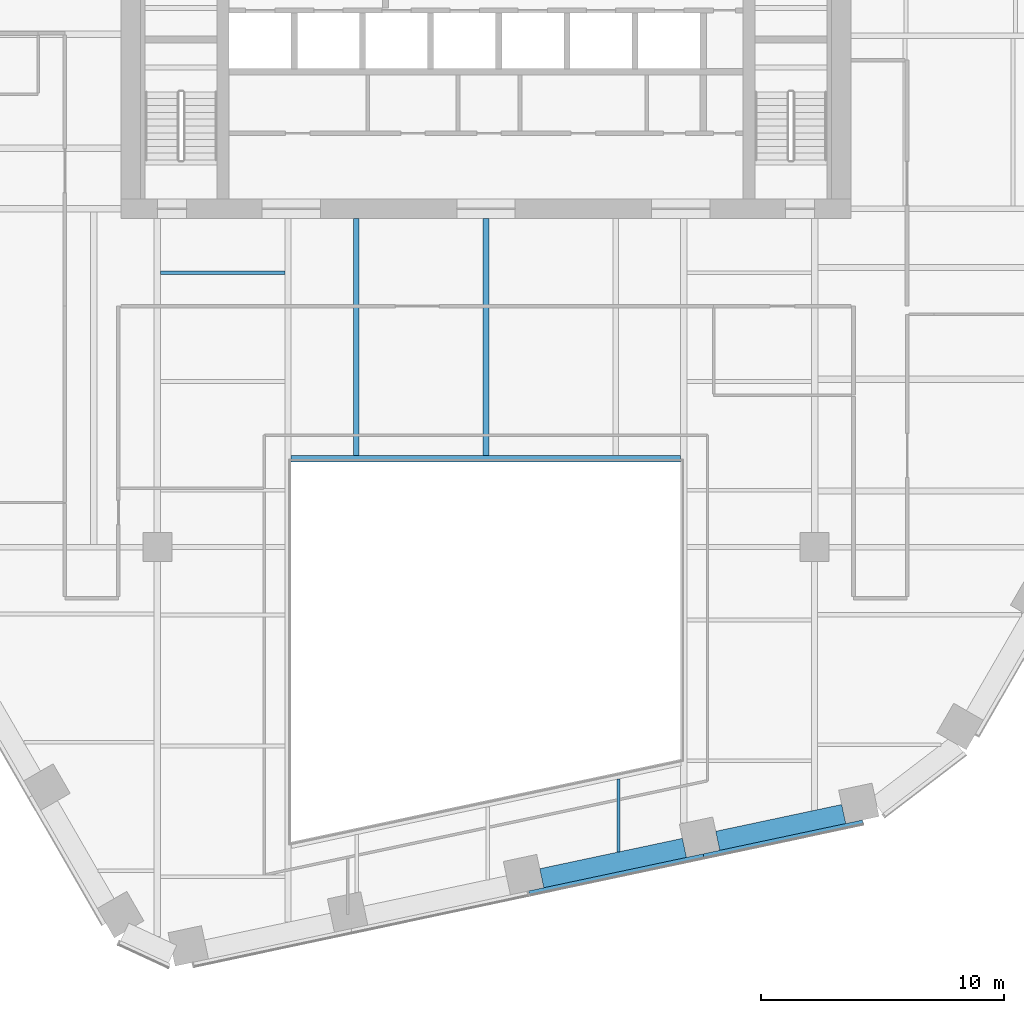
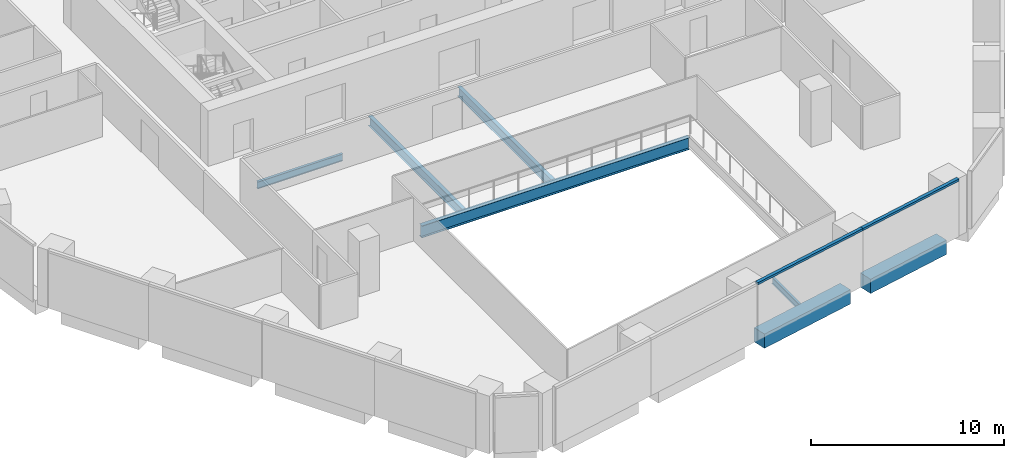
# One storey, part 4 of 16: 7 beams, 2 members, 1 element without a shape of its own.
"""IFC4 building model written with IfcOpenShell, lengths in metres."""

from ifc_helpers import new_model, si_unit, direction, frame, origin, origin_2d, place, context, subcontext, project, spatial, rectangle, i_section, extrude, material, layer, layer_set, material_profile, profile_set, type_object, element, aggregate, save


model = new_model("IFC4")

# Units and contexts
model_context = context("Model", 3, precision=1e-05, world=origin(), true_north=direction((0.0, 1.0)))
body_context = subcontext(model_context, "Body", "Model", "MODEL_VIEW")
ifc_project = project(units=[si_unit("LENGTHUNIT", "METRE"), si_unit("AREAUNIT", "SQUARE_METRE"), si_unit("VOLUMEUNIT", "CUBIC_METRE"), si_unit("PLANEANGLEUNIT", "RADIAN"), si_unit("MASSUNIT", "GRAM", prefix="KILO")], contexts=[model_context])

# Site, building, storey
site_placement = place(None, origin())
site = spatial("IfcSite", under=ifc_project, at=site_placement, CompositionType="ELEMENT")
building_placement = place(site_placement, origin())
building = spatial("IfcBuilding", under=site, at=building_placement, Name="Isthmus Gate Tower", CompositionType="ELEMENT")
storey_placement = place(building_placement, frame((0.0, 0.0, 148.050048828125)))
storey = spatial("IfcBuildingStorey", under=building, at=storey_placement, Name="L36", CompositionType="ELEMENT", Elevation=148.050048828125)

# Curtain wall, members
ifc_material_1 = material(Name="Aluminium, pale champagne anodised", Category="aluminium")
ifc_layer = layer(ifc_material_1, 0.199951171875)
ifc_layer_set = layer_set([ifc_layer], Name="CW-1 UNITISED CURTAIN WALL 200 DEEP")
curtain_wall_type = type_object("IfcCurtainWallType", Name="CW-1 UNITISED CURTAIN WALL 200 DEEP", PredefinedType="NOTDEFINED", material=ifc_layer_set)
curtain_wall_placement = place(storey_placement, origin())
curtain_wall = element("IfcCurtainWall", 1, at=curtain_wall_placement, inside=storey, type_object=curtain_wall_type, Name="CW-1 S L36", PredefinedType="NOTDEFINED")
ifc_material_2 = material(Name="Aluminium, pale champagne anodised", Category="aluminium")
ifc_material_profile_1 = material_profile(ifc_material_2, rectangle(XDim=0.199951171875, YDim=0.139892578125, at=origin_2d()), Name="200x140")
ifc_profile_set_1 = profile_set([ifc_material_profile_1], Name="Aluminium, pale champagne anodised")
member_type = type_object("IfcMemberType", Name="CW-1 TRANSOM 200 X 140", PredefinedType="USERDEFINED", material=ifc_profile_set_1)
member_1_placement = place(storey_placement, frame((1.76953125, -27.72607421875, 3.579833984375), z_axis=(0.978146152746, 0.207918502948, 0.0), x_axis=(-0.207918502948, 0.978146152746, 0.0)))
member_1 = element("IfcMember", 2, at=member_1_placement, type_object=member_type, Name="CW-1 transom", ObjectType="TRANSOM", PredefinedType="USERDEFINED", context=body_context, shape_type="SweptSolid", body=[
    extrude(rectangle(XDim=0.199951171875, YDim=0.139892578125, at=origin_2d()), origin(), (0.0, 0.0, 1.0), 7.33056640625),
])
member_2_placement = place(storey_placement, frame((8.93994140625, -26.201904296875, 3.579833984375), z_axis=(0.978147628551, 0.207911559946, 0.0), x_axis=(-0.207911559946, 0.978147628551, 0.0)))
member_2 = element("IfcMember", 3, at=member_2_placement, type_object=member_type, Name="CW-1 transom", ObjectType="TRANSOM", PredefinedType="USERDEFINED", context=body_context, shape_type="SweptSolid", body=[
    extrude(rectangle(XDim=0.199951171875, YDim=0.139892578125, at=origin_2d()), origin(), (0.0, 0.0, 1.0), 6.69091796875),
])
aggregate(curtain_wall, [member_1, member_2])

# Beams
ifc_material_3 = material(Name="Concrete f'c 60 MPa", Category="concrete")
ifc_material_profile_2 = material_profile(ifc_material_3, rectangle(XDim=0.800048828125, YDim=0.89990234375, at=origin_2d()), Name="RC 800X900")
ifc_profile_set_2 = profile_set([ifc_material_profile_2], Name="Concrete f'c 60 MPa")
beam_type_1 = type_object("IfcBeamType", Name="RC SPANDREL 800 X 900", PredefinedType="SPANDREL", material=ifc_profile_set_2)
beam_1_placement = place(storey_placement, frame((14.696044921875, -24.46728515625, -0.449951171875), z_axis=(-0.978145479826, -0.207921668653, 0.0), x_axis=(0.207921668653, -0.978145479826, 0.0)))
element("IfcBeam", 4, at=beam_1_placement, inside=storey, type_object=beam_type_1, Name="str-spandrel-L36-11", PredefinedType="SPANDREL", context=body_context, shape_type="SweptSolid", body=[
    extrude(rectangle(XDim=0.800048828125, YDim=0.89990234375, at=origin_2d()), origin(), (0.0, 0.0, 1.0), 5.291015625),
])
beam_2_placement = place(storey_placement, frame((8.1513671875, -25.8583984375, -0.449951171875), z_axis=(-0.978145798872, -0.20792016773, 0.0), x_axis=(0.20792016773, -0.978145798872, 0.0)))
element("IfcBeam", 5, at=beam_2_placement, inside=storey, type_object=beam_type_1, Name="str-spandrel-L36-12", PredefinedType="SPANDREL", context=body_context, shape_type="SweptSolid", body=[
    extrude(rectangle(XDim=0.800048828125, YDim=0.89990234375, at=origin_2d()), origin(), (0.0, 0.0, 1.0), 5.99072265625),
])
ifc_material_4 = material(Name="Structural steel ASTM A992 Gr 50", Category="steel")
ifc_material_profile_3 = material_profile(ifc_material_4, i_section(OverallWidth=0.1396484375, OverallDepth=0.4033203125, WebThickness=0.00634765625, FlangeThickness=0.010986328125, at=origin_2d()), Name="W16X31")
ifc_profile_set_3 = profile_set([ifc_material_profile_3], Name="Structural steel ASTM A992 Gr 50")
beam_type_2 = type_object("IfcBeamType", Name="STEEL FLOOR BEAM W16X31", PredefinedType="JOIST", material=ifc_profile_set_3)
beam_3_placement = place(storey_placement, frame((5.443115234375, -26.025146484375, -0.3515625), z_axis=(0.0, 1.0, 0.0), x_axis=(-1.0, 0.0, 0.0)))
element("IfcBeam", 6, at=beam_3_placement, inside=storey, type_object=beam_type_2, Name="str-beam-L36-07-02", PredefinedType="JOIST", context=body_context, shape_type="SweptSolid", body=[
    extrude(i_section(OverallWidth=0.1396484375, OverallDepth=0.4033203125, WebThickness=0.00634765625, FlangeThickness=0.010986328125, at=origin_2d()), origin(), (0.0, 0.0, 1.0), 2.998779296875),
])
ifc_material_5 = material(Name="Structural steel ASTM A992 Gr 50", Category="steel")
ifc_material_profile_4 = material_profile(ifc_material_5, i_section(OverallWidth=0.15234375, OverallDepth=0.45068359375, WebThickness=0.0078125, FlangeThickness=0.010986328125, at=origin_2d()), Name="W18X35")
ifc_profile_set_4 = profile_set([ifc_material_profile_4], Name="Structural steel ASTM A992 Gr 50")
beam_type_3 = type_object("IfcBeamType", Name="STEEL FLOOR BEAM W18X35", PredefinedType="JOIST", material=ifc_profile_set_4)
beam_4_placement = place(storey_placement, frame((-13.3681640625, -2.232421875, -0.37548828125), z_axis=(1.0, 0.0, 0.0), x_axis=(0.0, 1.0, 0.0)))
element("IfcBeam", 7, at=beam_4_placement, inside=storey, type_object=beam_type_3, Name="str-beam-L36-04-02", PredefinedType="JOIST", context=body_context, shape_type="SweptSolid", body=[
    extrude(i_section(OverallWidth=0.15234375, OverallDepth=0.45068359375, WebThickness=0.0078125, FlangeThickness=0.010986328125, at=origin_2d()), origin(), (0.0, 0.0, 1.0), 5.1015625),
])
ifc_material_6 = material(Name="Structural steel ASTM A992 Gr 50", Category="steel")
ifc_material_profile_5 = material_profile(ifc_material_6, i_section(OverallWidth=0.228515625, OverallDepth=0.603271484375, WebThickness=0.010986328125, FlangeThickness=0.014404296875, at=origin_2d()), Name="W24X68")
ifc_profile_set_5 = profile_set([ifc_material_profile_5], Name="Structural steel ASTM A992 Gr 50")
beam_type_4 = type_object("IfcBeamType", Name="STEEL FLOOR BEAM W24X68", PredefinedType="JOIST", material=ifc_profile_set_5)
for number, where, z_axis, x_axis, name in (
    (8, (-5.333251953125, -9.7333984375, -0.45166015625), (0.0, 1.0, 0.0), (-1.0, 0.0, 0.0), "str-beam-L36-06-00"),
    (9, (0.0, -9.7333984375, -0.45166015625), (0.0, 1.0, 0.0), (-1.0, 0.0, 0.0), "str-beam-L36-06-01"),
):
    element("IfcBeam", number, at=place(storey_placement, frame(where, z_axis=z_axis, x_axis=x_axis)), inside=storey, type_object=beam_type_4, Name=name, PredefinedType="JOIST", context=body_context, shape_type="SweptSolid", body=[
        extrude(i_section(OverallWidth=0.228515625, OverallDepth=0.603271484375, WebThickness=0.010986328125, FlangeThickness=0.014404296875, at=origin_2d()), origin(), (0.0, 0.0, 1.0), 9.7333984375),
    ])
ifc_material_7 = material(Name="Structural steel ASTM A992 Gr 50", Category="steel")
ifc_material_profile_6 = material_profile(ifc_material_7, i_section(OverallWidth=0.2666015625, OverallDepth=0.7587890625, WebThickness=0.014404296875, FlangeThickness=0.01904296875, at=origin_2d()), Name="W30X108")
ifc_profile_set_6 = profile_set([ifc_material_profile_6], Name="Structural steel ASTM A992 Gr 50")
beam_type_5 = type_object("IfcBeamType", Name="STEEL TRIMMER W30X108", PredefinedType="BEAM", material=ifc_profile_set_6)
beam_5_placement = place(storey_placement, frame((8.0, -9.86669921875, -0.529541015625), z_axis=(-1.0, 0.0, 0.0), x_axis=(0.0, -1.0, 0.0)))
element("IfcBeam", 10, at=beam_5_placement, inside=storey, type_object=beam_type_5, Name="str-trimmer-L36-04", PredefinedType="BEAM", context=body_context, shape_type="SweptSolid", body=[
    extrude(i_section(OverallWidth=0.2666015625, OverallDepth=0.7587890625, WebThickness=0.014404296875, FlangeThickness=0.01904296875, at=origin_2d()), origin(), (0.0, 0.0, 1.0), 16.0),
])

save(model, "model.ifc")
